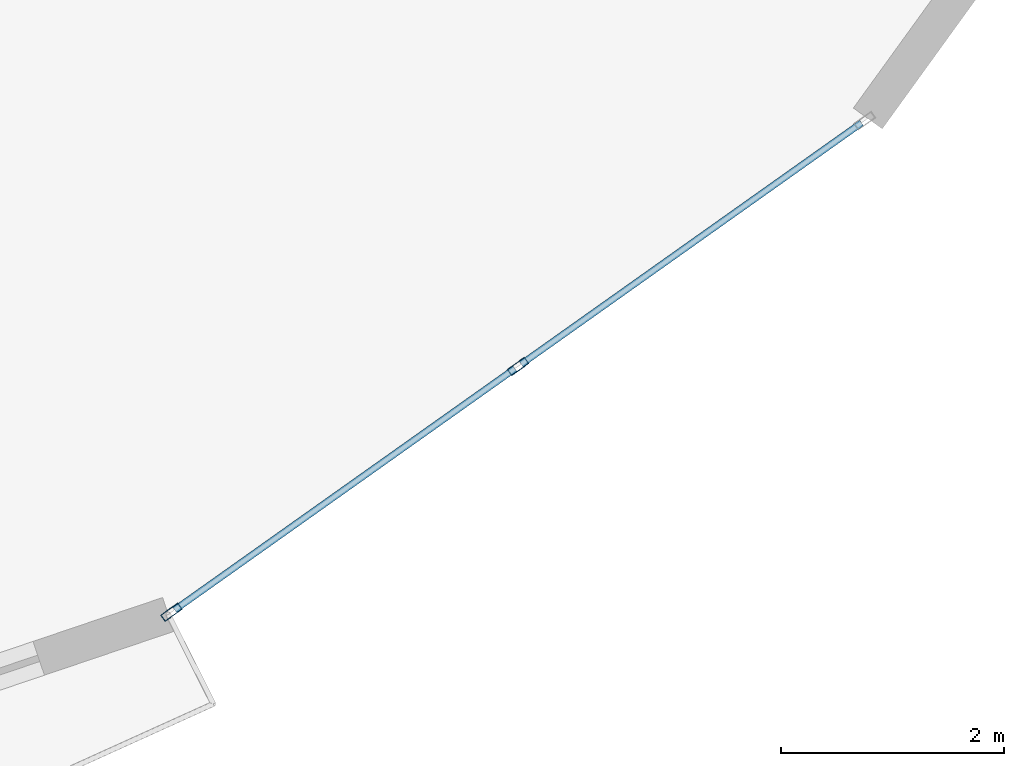
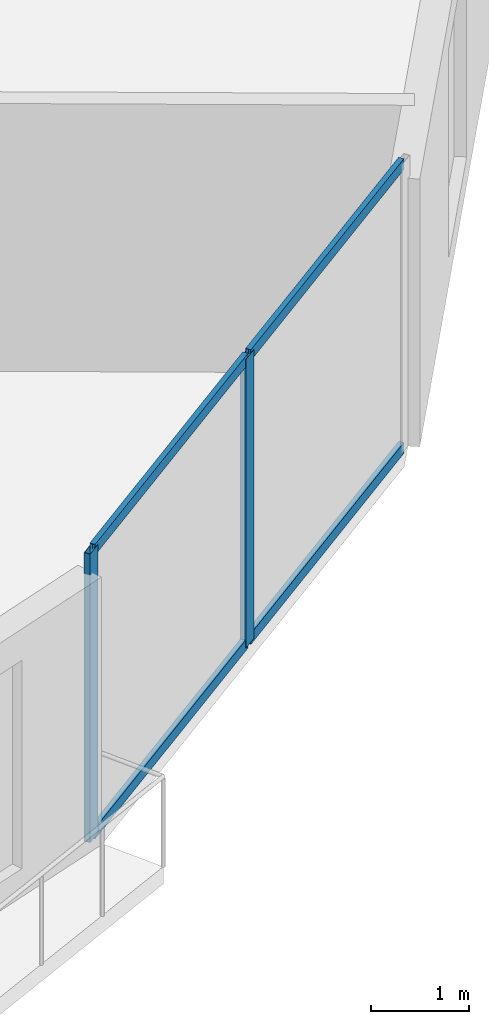
# One storey, part 8 of 26: 6 members, 1 element without a shape of its own.
"""IFC4 building model written with IfcOpenShell, lengths in metres."""

from ifc_helpers import new_model, si_unit, direction, frame, origin, origin_2d, place, context, subcontext, project, spatial, hollow_rectangle, extrude, source, transform, mapped, material, layer, layer_set, material_profile, profile_set, type_object, element, aggregate, save


model = new_model("IFC4")

# Units and contexts
model_context = context("Model", 3, precision=1e-05, world=origin(), true_north=direction((0.0, 1.0)))
body_context = subcontext(model_context, "Body", "Model", "MODEL_VIEW")
ifc_project = project(units=[si_unit("LENGTHUNIT", "METRE"), si_unit("AREAUNIT", "SQUARE_METRE"), si_unit("VOLUMEUNIT", "CUBIC_METRE"), si_unit("PLANEANGLEUNIT", "RADIAN"), si_unit("MASSUNIT", "GRAM", prefix="KILO")], contexts=[model_context])

# Site, building, storey
site_placement = place(None, origin())
site = spatial("IfcSite", under=ifc_project, at=site_placement, CompositionType="ELEMENT")
building_placement = place(site_placement, origin())
building = spatial("IfcBuilding", under=site, at=building_placement, Name="Solvirekh Grand Hotel", CompositionType="ELEMENT")
storey_placement = place(building_placement, frame((0.0, 0.0, 32.0)))
storey = spatial("IfcBuildingStorey", under=building, at=storey_placement, Name="L06", CompositionType="ELEMENT", Elevation=32.0)

# Curtain wall, members
ifc_material = material(Name="Anodized Bronze Aluminium 6063-T6", Category="aluminium")
ifc_layer = layer(ifc_material, 0.18994140625)
ifc_layer_set = layer_set([ifc_layer], Name="Anodized Bronze Aluminium 6063-T6")
curtain_wall_type = type_object("IfcCurtainWallType", Name="CW_Sys2_LowZoneFlushBronzeCW", PredefinedType="NOTDEFINED", material=ifc_layer_set)
curtain_wall_placement = place(storey_placement, origin())
curtain_wall = element("IfcCurtainWall", 1, at=curtain_wall_placement, inside=storey, type_object=curtain_wall_type, Name="L06 unitised bronze-glass curtain wall CW-L06-C18", PredefinedType="NOTDEFINED")
ifc_material_profile_1 = material_profile(ifc_material, hollow_rectangle(XDim=0.070068359375, YDim=0.18994140625, WallThickness=0.0048828125, at=origin_2d()), Name="ALU RHS 190X70X5")
ifc_profile_set_1 = profile_set([ifc_material_profile_1], Name="Anodized Bronze Aluminium 6063-T6")
member_type_1 = type_object("IfcMemberType", Name="CWMullion_Sys2", PredefinedType="MULLION", material=ifc_profile_set_1)
shared_shape_1 = source(origin(), body_context, "Body", "SweptSolid", [
    extrude(hollow_rectangle(XDim=0.070068359375, YDim=0.18994140625, WallThickness=0.0048828125, at=origin_2d()), origin(), (0.0, 0.0, 1.0), 3.60009765625),
])
member_1_placement = place(storey_placement, frame((15.821533203125, -18.80078125, 0.0), z_axis=(0.0, 0.0, 1.0), x_axis=(-0.578373813708, 0.815771862482, 0.0)))
member_1 = element("IfcMember", 2, at=member_1_placement, type_object=member_type_1, Name="U02 mullion 1", PredefinedType="MULLION", context=body_context, shape_type="MappedRepresentation", body=[
    mapped(shared_shape_1, transform((0.0, 0.0, 0.0), x_axis=(1.0, 0.0, 0.0), y_axis=(0.0, 1.0, 0.0), z_axis=(0.0, 0.0, 1.0), scale=1.0)),
])
member_2_placement = place(storey_placement, frame((18.935546875, -16.593017578125, 0.0), z_axis=(0.0, 0.0, 1.0), x_axis=(-0.578373813708, 0.815771862482, 0.0)))
member_2 = element("IfcMember", 3, at=member_2_placement, type_object=member_type_1, Name="U02 mullion 2", PredefinedType="MULLION", context=body_context, shape_type="MappedRepresentation", body=[
    mapped(shared_shape_1, transform((0.0, 0.0, 0.0), x_axis=(1.0, 0.0, 0.0), y_axis=(0.0, 1.0, 0.0), z_axis=(0.0, 0.0, 1.0), scale=1.0)),
])
ifc_material_profile_2 = material_profile(ifc_material, hollow_rectangle(XDim=0.06005859375, YDim=0.135009765625, WallThickness=0.00390625, at=origin_2d()), Name="ALU RHS 135X60X4")
ifc_profile_set_2 = profile_set([ifc_material_profile_2], Name="Anodized Bronze Aluminium 6063-T6")
member_type_2 = type_object("IfcMemberType", Name="CWTransom_Sys2", PredefinedType="USERDEFINED", material=ifc_profile_set_2)
shared_shape_2 = source(origin(), body_context, "Body", "SweptSolid", [
    extrude(hollow_rectangle(XDim=0.06005859375, YDim=0.135009765625, WallThickness=0.00390625, at=origin_2d()), origin(), (0.0, 0.0, 1.0), 3.747314453125),
])
member_3_placement = place(storey_placement, frame((15.85009765625, -18.780517578125, 0.030029296875), z_axis=(0.815779839774, 0.57836256191, 0.0), x_axis=(-0.57836256191, 0.815779839774, 0.0)))
member_3 = element("IfcMember", 4, at=member_3_placement, type_object=member_type_2, Name="U02 transom 1.1", ObjectType="TRANSOM", PredefinedType="USERDEFINED", context=body_context, shape_type="MappedRepresentation", body=[
    mapped(shared_shape_2, transform((0.0, 0.0, 0.0), x_axis=(1.0, 0.0, 0.0), y_axis=(0.0, 1.0, 0.0), z_axis=(0.0, 0.0, 1.0), scale=1.0)),
])
member_4_placement = place(storey_placement, frame((15.85009765625, -18.780517578125, 3.570068359375), z_axis=(0.815779839774, 0.57836256191, 0.0), x_axis=(-0.57836256191, 0.815779839774, 0.0)))
member_4 = element("IfcMember", 5, at=member_4_placement, type_object=member_type_2, Name="U02 transom 1.2", ObjectType="TRANSOM", PredefinedType="USERDEFINED", context=body_context, shape_type="MappedRepresentation", body=[
    mapped(shared_shape_2, transform((0.0, 0.0, 0.0), x_axis=(1.0, 0.0, 0.0), y_axis=(0.0, 1.0, 0.0), z_axis=(0.0, 0.0, 1.0), scale=1.0)),
])
member_5_placement = place(storey_placement, frame((18.964111328125, -16.57275390625, 0.030029296875), z_axis=(0.815779839774, 0.57836256191, 0.0), x_axis=(-0.57836256191, 0.815779839774, 0.0)))
member_5 = element("IfcMember", 6, at=member_5_placement, type_object=member_type_2, Name="U02 transom 2.1", ObjectType="TRANSOM", PredefinedType="USERDEFINED", context=body_context, shape_type="MappedRepresentation", body=[
    mapped(shared_shape_2, transform((0.0, 0.0, 0.0), x_axis=(1.0, 0.0, 0.0), y_axis=(0.0, 1.0, 0.0), z_axis=(0.0, 0.0, 1.0), scale=1.0)),
])
member_6_placement = place(storey_placement, frame((18.964111328125, -16.57275390625, 3.570068359375), z_axis=(0.815779839774, 0.57836256191, 0.0), x_axis=(-0.57836256191, 0.815779839774, 0.0)))
member_6 = element("IfcMember", 7, at=member_6_placement, type_object=member_type_2, Name="U02 transom 2.2", ObjectType="TRANSOM", PredefinedType="USERDEFINED", context=body_context, shape_type="MappedRepresentation", body=[
    mapped(shared_shape_2, transform((0.0, 0.0, 0.0), x_axis=(1.0, 0.0, 0.0), y_axis=(0.0, 1.0, 0.0), z_axis=(0.0, 0.0, 1.0), scale=1.0)),
])
aggregate(curtain_wall, [member_1, member_2, member_3, member_4, member_5, member_6])

save(model, "model.ifc")
